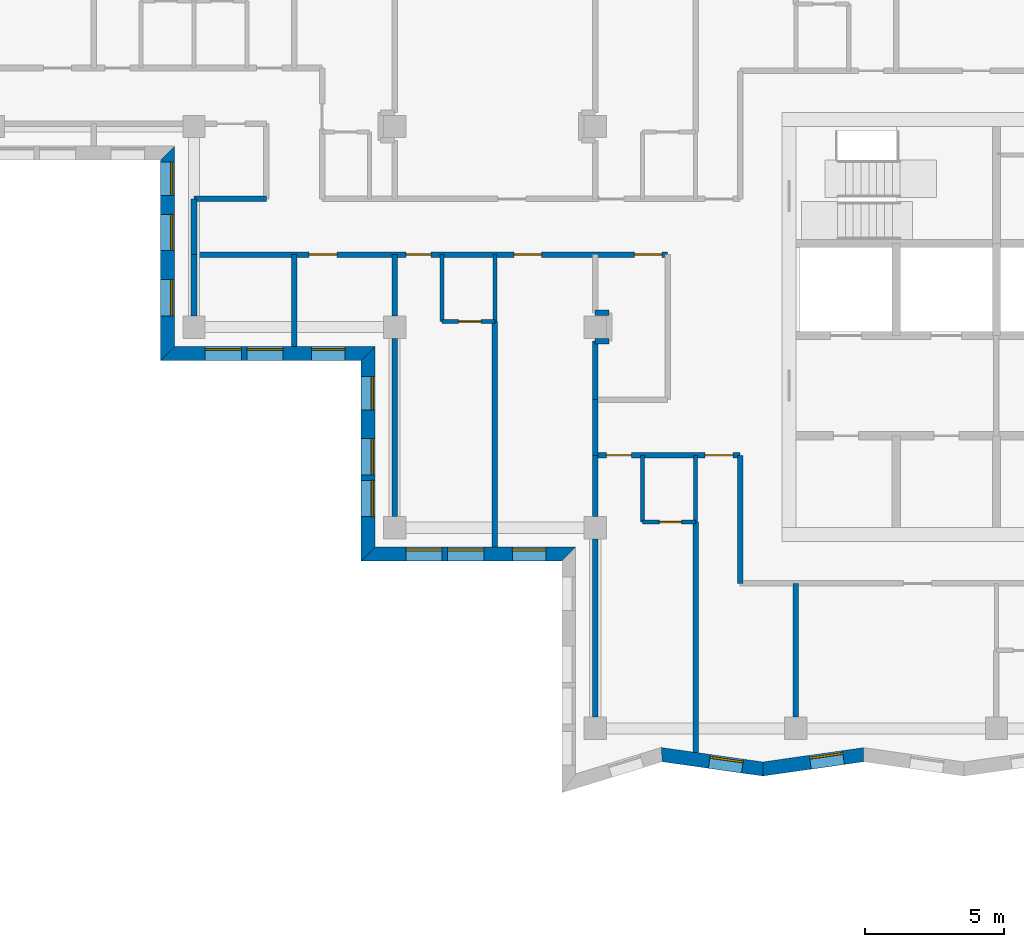
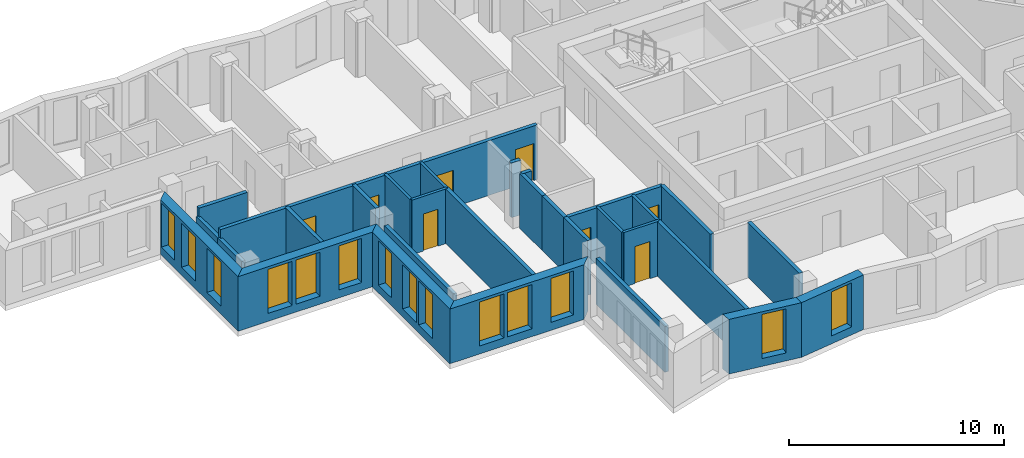
# One storey, part 2 of 12: 30 walls, 14 windows, 8 doors, 22 openings.
"""IFC4 building model written with IfcOpenShell, lengths in metres."""

from ifc_helpers import new_model, si_unit, direction, frame, frame_2d, origin, place, context, subcontext, project, spatial, polyline, rectangle, outline, extrude, material, layer, layer_set, type_object, element, fill, save


model = new_model("IFC4")

# Units and contexts
model_context = context("Model", 3, precision=1e-05, world=origin(), true_north=direction((0.0, 1.0)))
body_context = subcontext(model_context, "Body", "Model", "MODEL_VIEW")
ifc_project = project(units=[si_unit("LENGTHUNIT", "METRE"), si_unit("AREAUNIT", "SQUARE_METRE"), si_unit("VOLUMEUNIT", "CUBIC_METRE"), si_unit("PLANEANGLEUNIT", "RADIAN"), si_unit("MASSUNIT", "GRAM", prefix="KILO")], contexts=[model_context])

# Site, building, storey
site_placement = place(None, origin())
site = spatial("IfcSite", under=ifc_project, at=site_placement, CompositionType="ELEMENT")
building_placement = place(site_placement, origin())
building = spatial("IfcBuilding", under=site, at=building_placement, Name="Windrow Commons", CompositionType="ELEMENT")
storey_placement = place(building_placement, frame((0.0, 0.0, 213.4)))
storey = spatial("IfcBuildingStorey", under=building, at=storey_placement, Name="L58", CompositionType="ELEMENT", Elevation=213.4)

# Wall, openings, windows
ifc_material_1 = material(Name="Brick masonry, red clay brick", Category="masonry")
ifc_layer_1 = layer(ifc_material_1, 0.5)
ifc_layer_set_1 = layer_set([ifc_layer_1], Name="Brick facade wall 500")
wall_type_1 = type_object("IfcWallType", Name="Brick facade wall 500", PredefinedType="SOLIDWALL", material=ifc_layer_set_1)
wall_1_placement = place(storey_placement, frame((35.05, 63.85, 0.0), z_axis=(0.0, 0.0, 1.0), x_axis=(0.0, -1.0, 0.0)))
wall_1 = element("IfcWall", 1, at=wall_1_placement, inside=storey, type_object=wall_type_1, Name="Brick facade wall L58 33", PredefinedType="SOLIDWALL", context=body_context, shape_type="SweptSolid", body=[
    extrude(outline(polyline([(0.25, -0.25), (7.45, -0.25), (6.95, 0.25), (-0.25, 0.25), (0.25, -0.25)])), origin(), (0.0, 0.0, 1.0), 3.1),
])
opening_1_placement = place(wall_1_placement, frame((2.2, 0.0, 0.45)))
opening_1 = element("IfcOpeningElement", 2, at=opening_1_placement, cuts=wall_1, Name="Opening W1Q", PredefinedType="OPENING", context=body_context, shape_type="SweptSolid", body=[
    extrude(rectangle(XDim=1.3, YDim=2.5, at=frame_2d((0.65, 1.25))), frame((0.0, 0.26, 0.0), z_axis=(0.0, -1.0, 0.0), x_axis=(1.0, 0.0, 0.0)), (0.0, 0.0, 1.0), 0.52),
])
opening_2_placement = place(wall_1_placement, frame((4.55, 0.0, 0.45)))
opening_2 = element("IfcOpeningElement", 3, at=opening_2_placement, cuts=wall_1, Name="Opening W1Q", PredefinedType="OPENING", context=body_context, shape_type="SweptSolid", body=[
    extrude(rectangle(XDim=1.3, YDim=2.5, at=frame_2d((0.65, 1.25))), frame((0.0, 0.26, 0.0), z_axis=(0.0, -1.0, 0.0), x_axis=(1.0, 0.0, 0.0)), (0.0, 0.0, 1.0), 0.52),
])
opening_3_placement = place(wall_1_placement, frame((0.325, 0.0, 0.45)))
opening_3 = element("IfcOpeningElement", 4, at=opening_3_placement, cuts=wall_1, Name="Opening W7E", PredefinedType="OPENING", context=body_context, shape_type="SweptSolid", body=[
    extrude(rectangle(XDim=1.2, YDim=2.5, at=frame_2d((0.6, 1.25))), frame((0.0, 0.26, 0.0), z_axis=(0.0, -1.0, 0.0), x_axis=(1.0, 0.0, 0.0)), (0.0, 0.0, 1.0), 0.52),
])
ifc_material_2 = material(Name="Clear float glass in anodised aluminium frame", Category="aluminium")
window_type_1 = type_object("IfcWindowType", Name="Window W1Q pair 1300x2500", PartitioningType="SINGLE_PANEL", PredefinedType="WINDOW", material=ifc_material_2)
window_1_placement = place(opening_1_placement, origin())
window_1 = element("IfcWindow", 5, at=window_1_placement, inside=storey, type_object=window_type_1, Name="Window L58 33.1A", OverallHeight=2.5, OverallWidth=1.3, PartitioningType="SINGLE_PANEL", PredefinedType="WINDOW", context=body_context, shape_type="SweptSolid", body=[
    extrude(rectangle(XDim=1.3, YDim=2.5, at=frame_2d((0.65, 1.25))), frame((0.0, 0.18, 0.0), z_axis=(0.0, -1.0, 0.0), x_axis=(1.0, 0.0, 0.0)), (0.0, 0.0, 1.0), 0.06),
])
fill(opening_1, window_1)
window_2_placement = place(opening_2_placement, origin())
window_2 = element("IfcWindow", 6, at=window_2_placement, inside=storey, type_object=window_type_1, Name="Window L58 33.1B", OverallHeight=2.5, OverallWidth=1.3, PartitioningType="SINGLE_PANEL", PredefinedType="WINDOW", context=body_context, shape_type="SweptSolid", body=[
    extrude(rectangle(XDim=1.3, YDim=2.5, at=frame_2d((0.65, 1.25))), frame((0.0, 0.18, 0.0), z_axis=(0.0, -1.0, 0.0), x_axis=(1.0, 0.0, 0.0)), (0.0, 0.0, 1.0), 0.06),
])
fill(opening_2, window_2)
ifc_material_3 = material(Name="Clear float glass in anodised aluminium frame", Category="aluminium")
window_type_2 = type_object("IfcWindowType", Name="Window W7 notch 1200x2500", PartitioningType="SINGLE_PANEL", PredefinedType="WINDOW", material=ifc_material_3)
window_3_placement = place(opening_3_placement, origin())
window_3 = element("IfcWindow", 7, at=window_3_placement, inside=storey, type_object=window_type_2, Name="Window L58 33.2", OverallHeight=2.5, OverallWidth=1.2, PartitioningType="SINGLE_PANEL", PredefinedType="WINDOW", context=body_context, shape_type="SweptSolid", body=[
    extrude(rectangle(XDim=1.2, YDim=2.5, at=frame_2d((0.6, 1.25))), frame((0.0, 0.18, 0.0), z_axis=(0.0, -1.0, 0.0), x_axis=(1.0, 0.0, 0.0)), (0.0, 0.0, 1.0), 0.06),
])
fill(opening_3, window_3)

wall_2_placement = place(storey_placement, frame((35.05, 56.65, 0.0), z_axis=(0.0, 0.0, 1.0), x_axis=(1.0, 0.0, 0.0)))
wall_2 = element("IfcWall", 8, at=wall_2_placement, inside=storey, type_object=wall_type_1, Name="Brick facade wall L58 34", PredefinedType="SOLIDWALL", context=body_context, shape_type="SweptSolid", body=[
    extrude(outline(polyline([(-0.25, -0.25), (6.95, -0.25), (7.45, 0.25), (0.25, 0.25), (-0.25, -0.25)])), origin(), (0.0, 0.0, 1.0), 3.1),
])
opening_4_placement = place(wall_2_placement, frame((1.35, 0.0, 0.45)))
opening_4 = element("IfcOpeningElement", 9, at=opening_4_placement, cuts=wall_2, Name="Opening W1Q", PredefinedType="OPENING", context=body_context, shape_type="SweptSolid", body=[
    extrude(rectangle(XDim=1.3, YDim=2.5, at=frame_2d((0.65, 1.25))), frame((0.0, 0.26, 0.0), z_axis=(0.0, -1.0, 0.0), x_axis=(1.0, 0.0, 0.0)), (0.0, 0.0, 1.0), 0.52),
])
opening_5_placement = place(wall_2_placement, frame((2.85, 0.0, 0.45)))
opening_5 = element("IfcOpeningElement", 10, at=opening_5_placement, cuts=wall_2, Name="Opening W1Q", PredefinedType="OPENING", context=body_context, shape_type="SweptSolid", body=[
    extrude(rectangle(XDim=1.3, YDim=2.5, at=frame_2d((0.65, 1.25))), frame((0.0, 0.26, 0.0), z_axis=(0.0, -1.0, 0.0), x_axis=(1.0, 0.0, 0.0)), (0.0, 0.0, 1.0), 0.52),
])
opening_6_placement = place(wall_2_placement, frame((5.175, 0.0, 0.45)))
opening_6 = element("IfcOpeningElement", 11, at=opening_6_placement, cuts=wall_2, Name="Opening W7E", PredefinedType="OPENING", context=body_context, shape_type="SweptSolid", body=[
    extrude(rectangle(XDim=1.2, YDim=2.5, at=frame_2d((0.6, 1.25))), frame((0.0, 0.26, 0.0), z_axis=(0.0, -1.0, 0.0), x_axis=(1.0, 0.0, 0.0)), (0.0, 0.0, 1.0), 0.52),
])
window_4_placement = place(opening_4_placement, origin())
window_4 = element("IfcWindow", 12, at=window_4_placement, inside=storey, type_object=window_type_1, Name="Window L58 34.1A", OverallHeight=2.5, OverallWidth=1.3, PartitioningType="SINGLE_PANEL", PredefinedType="WINDOW", context=body_context, shape_type="SweptSolid", body=[
    extrude(rectangle(XDim=1.3, YDim=2.5, at=frame_2d((0.65, 1.25))), frame((0.0, 0.18, 0.0), z_axis=(0.0, -1.0, 0.0), x_axis=(1.0, 0.0, 0.0)), (0.0, 0.0, 1.0), 0.06),
])
fill(opening_4, window_4)
window_5_placement = place(opening_5_placement, origin())
window_5 = element("IfcWindow", 13, at=window_5_placement, inside=storey, type_object=window_type_1, Name="Window L58 34.1B", OverallHeight=2.5, OverallWidth=1.3, PartitioningType="SINGLE_PANEL", PredefinedType="WINDOW", context=body_context, shape_type="SweptSolid", body=[
    extrude(rectangle(XDim=1.3, YDim=2.5, at=frame_2d((0.65, 1.25))), frame((0.0, 0.18, 0.0), z_axis=(0.0, -1.0, 0.0), x_axis=(1.0, 0.0, 0.0)), (0.0, 0.0, 1.0), 0.06),
])
fill(opening_5, window_5)
window_6_placement = place(opening_6_placement, origin())
window_6 = element("IfcWindow", 14, at=window_6_placement, inside=storey, type_object=window_type_2, Name="Window L58 34.2", OverallHeight=2.5, OverallWidth=1.2, PartitioningType="SINGLE_PANEL", PredefinedType="WINDOW", context=body_context, shape_type="SweptSolid", body=[
    extrude(rectangle(XDim=1.2, YDim=2.5, at=frame_2d((0.6, 1.25))), frame((0.0, 0.18, 0.0), z_axis=(0.0, -1.0, 0.0), x_axis=(1.0, 0.0, 0.0)), (0.0, 0.0, 1.0), 0.06),
])
fill(opening_6, window_6)

wall_3_placement = place(storey_placement, frame((42.25, 56.65, 0.0), z_axis=(0.0, 0.0, 1.0), x_axis=(0.0, -1.0, 0.0)))
wall_3 = element("IfcWall", 15, at=wall_3_placement, inside=storey, type_object=wall_type_1, Name="Brick facade wall L58 35", PredefinedType="SOLIDWALL", context=body_context, shape_type="SweptSolid", body=[
    extrude(outline(polyline([(0.25, -0.25), (7.45, -0.25), (6.95, 0.25), (-0.25, 0.25), (0.25, -0.25)])), origin(), (0.0, 0.0, 1.0), 3.1),
])
opening_7_placement = place(wall_3_placement, frame((3.05, 0.0, 0.45)))
opening_7 = element("IfcOpeningElement", 16, at=opening_7_placement, cuts=wall_3, Name="Opening W1Q", PredefinedType="OPENING", context=body_context, shape_type="SweptSolid", body=[
    extrude(rectangle(XDim=1.3, YDim=2.5, at=frame_2d((0.65, 1.25))), frame((0.0, 0.26, 0.0), z_axis=(0.0, -1.0, 0.0), x_axis=(1.0, 0.0, 0.0)), (0.0, 0.0, 1.0), 0.52),
])
opening_8_placement = place(wall_3_placement, frame((4.55, 0.0, 0.45)))
opening_8 = element("IfcOpeningElement", 17, at=opening_8_placement, cuts=wall_3, Name="Opening W1Q", PredefinedType="OPENING", context=body_context, shape_type="SweptSolid", body=[
    extrude(rectangle(XDim=1.3, YDim=2.5, at=frame_2d((0.65, 1.25))), frame((0.0, 0.26, 0.0), z_axis=(0.0, -1.0, 0.0), x_axis=(1.0, 0.0, 0.0)), (0.0, 0.0, 1.0), 0.52),
])
opening_9_placement = place(wall_3_placement, frame((0.825, 0.0, 0.45)))
opening_9 = element("IfcOpeningElement", 18, at=opening_9_placement, cuts=wall_3, Name="Opening W7E", PredefinedType="OPENING", context=body_context, shape_type="SweptSolid", body=[
    extrude(rectangle(XDim=1.2, YDim=2.5, at=frame_2d((0.6, 1.25))), frame((0.0, 0.26, 0.0), z_axis=(0.0, -1.0, 0.0), x_axis=(1.0, 0.0, 0.0)), (0.0, 0.0, 1.0), 0.52),
])
window_7_placement = place(opening_7_placement, origin())
window_7 = element("IfcWindow", 19, at=window_7_placement, inside=storey, type_object=window_type_1, Name="Window L58 35.1A", OverallHeight=2.5, OverallWidth=1.3, PartitioningType="SINGLE_PANEL", PredefinedType="WINDOW", context=body_context, shape_type="SweptSolid", body=[
    extrude(rectangle(XDim=1.3, YDim=2.5, at=frame_2d((0.65, 1.25))), frame((0.0, 0.18, 0.0), z_axis=(0.0, -1.0, 0.0), x_axis=(1.0, 0.0, 0.0)), (0.0, 0.0, 1.0), 0.06),
])
fill(opening_7, window_7)
window_8_placement = place(opening_8_placement, origin())
window_8 = element("IfcWindow", 20, at=window_8_placement, inside=storey, type_object=window_type_1, Name="Window L58 35.1B", OverallHeight=2.5, OverallWidth=1.3, PartitioningType="SINGLE_PANEL", PredefinedType="WINDOW", context=body_context, shape_type="SweptSolid", body=[
    extrude(rectangle(XDim=1.3, YDim=2.5, at=frame_2d((0.65, 1.25))), frame((0.0, 0.18, 0.0), z_axis=(0.0, -1.0, 0.0), x_axis=(1.0, 0.0, 0.0)), (0.0, 0.0, 1.0), 0.06),
])
fill(opening_8, window_8)
window_9_placement = place(opening_9_placement, origin())
window_9 = element("IfcWindow", 21, at=window_9_placement, inside=storey, type_object=window_type_2, Name="Window L58 35.2", OverallHeight=2.5, OverallWidth=1.2, PartitioningType="SINGLE_PANEL", PredefinedType="WINDOW", context=body_context, shape_type="SweptSolid", body=[
    extrude(rectangle(XDim=1.2, YDim=2.5, at=frame_2d((0.6, 1.25))), frame((0.0, 0.18, 0.0), z_axis=(0.0, -1.0, 0.0), x_axis=(1.0, 0.0, 0.0)), (0.0, 0.0, 1.0), 0.06),
])
fill(opening_9, window_9)

wall_4_placement = place(storey_placement, frame((42.25, 49.45, 0.0), z_axis=(0.0, 0.0, 1.0), x_axis=(1.0, 0.0, 0.0)))
wall_4 = element("IfcWall", 22, at=wall_4_placement, inside=storey, type_object=wall_type_1, Name="Brick facade wall L58 36", PredefinedType="SOLIDWALL", context=body_context, shape_type="SweptSolid", body=[
    extrude(outline(polyline([(-0.25, -0.25), (6.95, -0.25), (7.45, 0.25), (0.25, 0.25), (-0.25, -0.25)])), origin(), (0.0, 0.0, 1.0), 3.1),
])
opening_10_placement = place(wall_4_placement, frame((1.35, 0.0, 0.45)))
opening_10 = element("IfcOpeningElement", 23, at=opening_10_placement, cuts=wall_4, Name="Opening W1Q", PredefinedType="OPENING", context=body_context, shape_type="SweptSolid", body=[
    extrude(rectangle(XDim=1.3, YDim=2.5, at=frame_2d((0.65, 1.25))), frame((0.0, 0.26, 0.0), z_axis=(0.0, -1.0, 0.0), x_axis=(1.0, 0.0, 0.0)), (0.0, 0.0, 1.0), 0.52),
])
opening_11_placement = place(wall_4_placement, frame((2.85, 0.0, 0.45)))
opening_11 = element("IfcOpeningElement", 24, at=opening_11_placement, cuts=wall_4, Name="Opening W1Q", PredefinedType="OPENING", context=body_context, shape_type="SweptSolid", body=[
    extrude(rectangle(XDim=1.3, YDim=2.5, at=frame_2d((0.65, 1.25))), frame((0.0, 0.26, 0.0), z_axis=(0.0, -1.0, 0.0), x_axis=(1.0, 0.0, 0.0)), (0.0, 0.0, 1.0), 0.52),
])
opening_12_placement = place(wall_4_placement, frame((5.175, 0.0, 0.45)))
opening_12 = element("IfcOpeningElement", 25, at=opening_12_placement, cuts=wall_4, Name="Opening W7E", PredefinedType="OPENING", context=body_context, shape_type="SweptSolid", body=[
    extrude(rectangle(XDim=1.2, YDim=2.5, at=frame_2d((0.6, 1.25))), frame((0.0, 0.26, 0.0), z_axis=(0.0, -1.0, 0.0), x_axis=(1.0, 0.0, 0.0)), (0.0, 0.0, 1.0), 0.52),
])
window_10_placement = place(opening_10_placement, origin())
window_10 = element("IfcWindow", 26, at=window_10_placement, inside=storey, type_object=window_type_1, Name="Window L58 36.1A", OverallHeight=2.5, OverallWidth=1.3, PartitioningType="SINGLE_PANEL", PredefinedType="WINDOW", context=body_context, shape_type="SweptSolid", body=[
    extrude(rectangle(XDim=1.3, YDim=2.5, at=frame_2d((0.65, 1.25))), frame((0.0, 0.18, 0.0), z_axis=(0.0, -1.0, 0.0), x_axis=(1.0, 0.0, 0.0)), (0.0, 0.0, 1.0), 0.06),
])
fill(opening_10, window_10)
window_11_placement = place(opening_11_placement, origin())
window_11 = element("IfcWindow", 27, at=window_11_placement, inside=storey, type_object=window_type_1, Name="Window L58 36.1B", OverallHeight=2.5, OverallWidth=1.3, PartitioningType="SINGLE_PANEL", PredefinedType="WINDOW", context=body_context, shape_type="SweptSolid", body=[
    extrude(rectangle(XDim=1.3, YDim=2.5, at=frame_2d((0.65, 1.25))), frame((0.0, 0.18, 0.0), z_axis=(0.0, -1.0, 0.0), x_axis=(1.0, 0.0, 0.0)), (0.0, 0.0, 1.0), 0.06),
])
fill(opening_11, window_11)
window_12_placement = place(opening_12_placement, origin())
window_12 = element("IfcWindow", 28, at=window_12_placement, inside=storey, type_object=window_type_2, Name="Window L58 36.2", OverallHeight=2.5, OverallWidth=1.2, PartitioningType="SINGLE_PANEL", PredefinedType="WINDOW", context=body_context, shape_type="SweptSolid", body=[
    extrude(rectangle(XDim=1.2, YDim=2.5, at=frame_2d((0.6, 1.25))), frame((0.0, 0.18, 0.0), z_axis=(0.0, -1.0, 0.0), x_axis=(1.0, 0.0, 0.0)), (0.0, 0.0, 1.0), 0.06),
])
fill(opening_12, window_12)

# Wall, opening, window
wall_5_placement = place(storey_placement, frame((52.7883, 42.2554, 0.0), z_axis=(0.0, 0.0, 1.0), x_axis=(0.9900822045, -0.140489246, 0.0)))
wall_5 = element("IfcWall", 29, at=wall_5_placement, inside=storey, type_object=wall_type_1, Name="Brick facade wall L58 39", PredefinedType="SOLIDWALL", context=body_context, shape_type="SweptSolid", body=[
    extrude(outline(polyline([(0.0559, -0.25), (3.7005, -0.25), (3.6296, 0.25), (-0.0559, 0.25), (0.0559, -0.25)])), origin(), (0.0, 0.0, 1.0), 3.1),
])
opening_13_placement = place(wall_5_placement, frame((1.7267, 0.0, 0.45)))
opening_13 = element("IfcOpeningElement", 30, at=opening_13_placement, cuts=wall_5, Name="Opening W7E", PredefinedType="OPENING", context=body_context, shape_type="SweptSolid", body=[
    extrude(rectangle(XDim=1.2, YDim=2.5, at=frame_2d((0.6, 1.25))), frame((0.0, 0.26, 0.0), z_axis=(0.0, -1.0, 0.0), x_axis=(1.0, 0.0, 0.0)), (0.0, 0.0, 1.0), 0.52),
])
window_13_placement = place(opening_13_placement, origin())
window_13 = element("IfcWindow", 31, at=window_13_placement, inside=storey, type_object=window_type_2, Name="Window L58 39.1", OverallHeight=2.5, OverallWidth=1.2, PartitioningType="SINGLE_PANEL", PredefinedType="WINDOW", context=body_context, shape_type="SweptSolid", body=[
    extrude(rectangle(XDim=1.2, YDim=2.5, at=frame_2d((0.6, 1.25))), frame((0.0, 0.18, 0.0), z_axis=(0.0, -1.0, 0.0), x_axis=(1.0, 0.0, 0.0)), (0.0, 0.0, 1.0), 0.06),
])
fill(opening_13, window_13)

wall_6_placement = place(storey_placement, frame((56.417, 41.7405, 0.0), z_axis=(0.0, 0.0, 1.0), x_axis=(0.9900834903, 0.1404801848, 0.0)))
wall_6 = element("IfcWall", 32, at=wall_6_placement, inside=storey, type_object=wall_type_1, Name="Brick facade wall L58 40", PredefinedType="SOLIDWALL", context=body_context, shape_type="SweptSolid", body=[
    extrude(outline(polyline([(-0.0355, -0.25), (3.6092, -0.25), (3.6801, 0.25), (0.0355, 0.25), (-0.0355, -0.25)])), origin(), (0.0, 0.0, 1.0), 3.1),
])
opening_14_placement = place(wall_6_placement, frame((1.7198, 0.0, 0.45)))
opening_14 = element("IfcOpeningElement", 33, at=opening_14_placement, cuts=wall_6, Name="Opening W7E", PredefinedType="OPENING", context=body_context, shape_type="SweptSolid", body=[
    extrude(rectangle(XDim=1.2, YDim=2.5, at=frame_2d((0.6, 1.25))), frame((0.0, 0.26, 0.0), z_axis=(0.0, -1.0, 0.0), x_axis=(1.0, 0.0, 0.0)), (0.0, 0.0, 1.0), 0.52),
])
window_14_placement = place(opening_14_placement, origin())
window_14 = element("IfcWindow", 34, at=window_14_placement, inside=storey, type_object=window_type_2, Name="Window L58 40.1", OverallHeight=2.5, OverallWidth=1.2, PartitioningType="SINGLE_PANEL", PredefinedType="WINDOW", context=body_context, shape_type="SweptSolid", body=[
    extrude(rectangle(XDim=1.2, YDim=2.5, at=frame_2d((0.6, 1.25))), frame((0.0, 0.18, 0.0), z_axis=(0.0, -1.0, 0.0), x_axis=(1.0, 0.0, 0.0)), (0.0, 0.0, 1.0), 0.06),
])
fill(opening_14, window_14)

# Wall, openings, doors
ifc_material_4 = material(Name="Blockwork partition", Category="masonry")
ifc_layer_2 = layer(ifc_material_4, 0.2)
ifc_layer_set_2 = layer_set([ifc_layer_2], Name="IW-CORRIDOR-200")
wall_type_2 = type_object("IfcWallType", Name="IW-CORRIDOR-200", PredefinedType="PARTITIONING", material=ifc_layer_set_2)
wall_7_placement = place(storey_placement, frame((36.0, 60.2, 0.0), z_axis=(0.0, 0.0, 1.0), x_axis=(1.0, 0.0, 0.0)))
wall_7 = element("IfcWall", 35, at=wall_7_placement, inside=storey, type_object=wall_type_2, Name="W-L58-W002", PredefinedType="PARTITIONING", context=body_context, shape_type="SweptSolid", body=[
    extrude(rectangle(XDim=17.0, YDim=0.2, at=frame_2d((8.5, 0.0))), origin(), (0.0, 0.0, 1.0), 3.1),
])
opening_15_placement = place(wall_7_placement, frame((4.125, 0.0, 0.0)))
opening_15 = element("IfcOpeningElement", 36, at=opening_15_placement, cuts=wall_7, Name="Opening D310F", PredefinedType="OPENING", context=body_context, shape_type="SweptSolid", body=[
    extrude(rectangle(XDim=1.0, YDim=2.1, at=frame_2d((0.5, 1.05))), frame((0.0, 0.11, 0.0), z_axis=(0.0, -1.0, 0.0), x_axis=(1.0, 0.0, 0.0)), (0.0, 0.0, 1.0), 0.22),
])
opening_16_placement = place(wall_7_placement, frame((7.6, 0.0, 0.0)))
opening_16 = element("IfcOpeningElement", 37, at=opening_16_placement, cuts=wall_7, Name="Opening D109S", PredefinedType="OPENING", context=body_context, shape_type="SweptSolid", body=[
    extrude(rectangle(XDim=0.9, YDim=2.1, at=frame_2d((0.45, 1.05))), frame((0.0, 0.11, 0.0), z_axis=(0.0, -1.0, 0.0), x_axis=(1.0, 0.0, 0.0)), (0.0, 0.0, 1.0), 0.22),
])
opening_17_placement = place(wall_7_placement, frame((11.48, 0.0, 0.0)))
opening_17 = element("IfcOpeningElement", 38, at=opening_17_placement, cuts=wall_7, Name="Opening D310F", PredefinedType="OPENING", context=body_context, shape_type="SweptSolid", body=[
    extrude(rectangle(XDim=1.0, YDim=2.1, at=frame_2d((0.5, 1.05))), frame((0.0, 0.11, 0.0), z_axis=(0.0, -1.0, 0.0), x_axis=(1.0, 0.0, 0.0)), (0.0, 0.0, 1.0), 0.22),
])
opening_18_placement = place(wall_7_placement, frame((15.805, 0.0, 0.0)))
opening_18 = element("IfcOpeningElement", 39, at=opening_18_placement, cuts=wall_7, Name="Opening D410F", PredefinedType="OPENING", context=body_context, shape_type="SweptSolid", body=[
    extrude(rectangle(XDim=1.0, YDim=2.1, at=frame_2d((0.5, 1.05))), frame((0.0, 0.11, 0.0), z_axis=(0.0, -1.0, 0.0), x_axis=(1.0, 0.0, 0.0)), (0.0, 0.0, 1.0), 0.22),
])
ifc_material_5 = material(Name="Timber door leaf", Category="wood")
door_type_1 = type_object("IfcDoorType", Name="DT-AMENITY-1000", OperationType="SINGLE_SWING_LEFT", PredefinedType="DOOR", material=ifc_material_5)
door_1_placement = place(opening_15_placement, origin())
door_1 = element("IfcDoor", 40, at=door_1_placement, inside=storey, type_object=door_type_1, Name="D-L58-D013", OperationType="SINGLE_SWING_RIGHT", OverallHeight=2.1, OverallWidth=1.0, PredefinedType="DOOR", context=body_context, shape_type="SweptSolid", body=[
    extrude(rectangle(XDim=1.0, YDim=2.1, at=frame_2d((0.5, 1.05))), frame((0.0, 0.025, 0.0), z_axis=(0.0, -1.0, 0.0), x_axis=(1.0, 0.0, 0.0)), (0.0, 0.0, 1.0), 0.05),
])
fill(opening_15, door_1)
door_2_placement = place(opening_17_placement, origin())
door_2 = element("IfcDoor", 41, at=door_2_placement, inside=storey, type_object=door_type_1, Name="D-L58-D025", OperationType="SINGLE_SWING_RIGHT", OverallHeight=2.1, OverallWidth=1.0, PredefinedType="DOOR", context=body_context, shape_type="SweptSolid", body=[
    extrude(rectangle(XDim=1.0, YDim=2.1, at=frame_2d((0.5, 1.05))), frame((0.0, 0.025, 0.0), z_axis=(0.0, -1.0, 0.0), x_axis=(1.0, 0.0, 0.0)), (0.0, 0.0, 1.0), 0.05),
])
fill(opening_17, door_2)
ifc_material_6 = material(Name="Timber door leaf", Category="wood")
door_type_2 = type_object("IfcDoorType", Name="DT-BEDROOM-900", OperationType="SINGLE_SWING_LEFT", PredefinedType="DOOR", material=ifc_material_6)
door_3_placement = place(opening_16_placement, origin())
door_3 = element("IfcDoor", 42, at=door_3_placement, inside=storey, type_object=door_type_2, Name="D-L58-D014", OperationType="SINGLE_SWING_LEFT", OverallHeight=2.1, OverallWidth=0.9, PredefinedType="DOOR", context=body_context, shape_type="SweptSolid", body=[
    extrude(rectangle(XDim=0.9, YDim=2.1, at=frame_2d((0.45, 1.05))), frame((0.0, 0.025, 0.0), z_axis=(0.0, -1.0, 0.0), x_axis=(1.0, 0.0, 0.0)), (0.0, 0.0, 1.0), 0.05),
])
fill(opening_16, door_3)
ifc_material_7 = material(Name="Timber door leaf", Category="wood")
door_type_3 = type_object("IfcDoorType", Name="DT-SERVICE-1000", OperationType="SINGLE_SWING_LEFT", PredefinedType="DOOR", material=ifc_material_7)
door_4_placement = place(opening_18_placement, origin())
door_4 = element("IfcDoor", 43, at=door_4_placement, inside=storey, type_object=door_type_3, Name="D-L58-D026", OperationType="SINGLE_SWING_LEFT", OverallHeight=2.1, OverallWidth=1.0, PredefinedType="DOOR", context=body_context, shape_type="SweptSolid", body=[
    extrude(rectangle(XDim=1.0, YDim=2.1, at=frame_2d((0.5, 1.05))), frame((0.0, 0.025, 0.0), z_axis=(0.0, -1.0, 0.0), x_axis=(1.0, 0.0, 0.0)), (0.0, 0.0, 1.0), 0.05),
])
fill(opening_18, door_4)

wall_8_placement = place(storey_placement, frame((50.4, 53.0, 0.0), z_axis=(0.0, 0.0, 1.0), x_axis=(1.0, 0.0, 0.0)))
wall_8 = element("IfcWall", 44, at=wall_8_placement, inside=storey, type_object=wall_type_2, Name="W-L58-W032", PredefinedType="PARTITIONING", context=body_context, shape_type="SweptSolid", body=[
    extrude(rectangle(XDim=5.2, YDim=0.2, at=frame_2d((2.6, 0.0))), origin(), (0.0, 0.0, 1.0), 3.1),
])
opening_19_placement = place(wall_8_placement, frame((0.4, 0.0, 0.0)))
opening_19 = element("IfcOpeningElement", 45, at=opening_19_placement, cuts=wall_8, Name="Opening D109S", PredefinedType="OPENING", context=body_context, shape_type="SweptSolid", body=[
    extrude(rectangle(XDim=0.9, YDim=2.1, at=frame_2d((0.45, 1.05))), frame((0.0, 0.11, 0.0), z_axis=(0.0, -1.0, 0.0), x_axis=(1.0, 0.0, 0.0)), (0.0, 0.0, 1.0), 0.22),
])
opening_20_placement = place(wall_8_placement, frame((3.9455, 0.0, 0.0)))
opening_20 = element("IfcOpeningElement", 46, at=opening_20_placement, cuts=wall_8, Name="Opening D310F", PredefinedType="OPENING", context=body_context, shape_type="SweptSolid", body=[
    extrude(rectangle(XDim=1.0, YDim=2.1, at=frame_2d((0.5, 1.05))), frame((0.0, 0.11, 0.0), z_axis=(0.0, -1.0, 0.0), x_axis=(1.0, 0.0, 0.0)), (0.0, 0.0, 1.0), 0.22),
])
door_5_placement = place(opening_20_placement, origin())
door_5 = element("IfcDoor", 47, at=door_5_placement, inside=storey, type_object=door_type_1, Name="D-L58-D029", OperationType="SINGLE_SWING_RIGHT", OverallHeight=2.1, OverallWidth=1.0, PredefinedType="DOOR", context=body_context, shape_type="SweptSolid", body=[
    extrude(rectangle(XDim=1.0, YDim=2.1, at=frame_2d((0.5, 1.05))), frame((0.0, 0.025, 0.0), z_axis=(0.0, -1.0, 0.0), x_axis=(1.0, 0.0, 0.0)), (0.0, 0.0, 1.0), 0.05),
])
fill(opening_20, door_5)
door_6_placement = place(opening_19_placement, origin())
door_6 = element("IfcDoor", 48, at=door_6_placement, inside=storey, type_object=door_type_2, Name="D-L58-D027", OperationType="SINGLE_SWING_LEFT", OverallHeight=2.1, OverallWidth=0.9, PredefinedType="DOOR", context=body_context, shape_type="SweptSolid", body=[
    extrude(rectangle(XDim=0.9, YDim=2.1, at=frame_2d((0.45, 1.05))), frame((0.0, 0.025, 0.0), z_axis=(0.0, -1.0, 0.0), x_axis=(1.0, 0.0, 0.0)), (0.0, 0.0, 1.0), 0.05),
])
fill(opening_19, door_6)

# Walls
wall_9_placement = place(storey_placement, frame((55.6, 48.4, 0.0), z_axis=(0.0, 0.0, 1.0), x_axis=(0.0, 1.0, 0.0)))
element("IfcWall", 49, at=wall_9_placement, inside=storey, type_object=wall_type_2, Name="W-L58-W040", PredefinedType="PARTITIONING", context=body_context, shape_type="SweptSolid", body=[
    extrude(rectangle(XDim=4.6, YDim=0.2, at=frame_2d((2.3, 0.0))), origin(), (0.0, 0.0, 1.0), 3.1),
])
wall_10_placement = place(storey_placement, frame((36.002, 62.2, 0.0), z_axis=(0.0, 0.0, 1.0), x_axis=(1.0, 0.0, 0.0)))
element("IfcWall", 50, at=wall_10_placement, inside=storey, type_object=wall_type_2, Name="W-L58-W057", PredefinedType="PARTITIONING", context=body_context, shape_type="SweptSolid", body=[
    extrude(rectangle(XDim=2.598, YDim=0.2, at=frame_2d((1.299, 0.0))), origin(), (0.0, 0.0, 1.0), 3.1),
])
wall_11_placement = place(storey_placement, frame((36.0, 60.2, 0.0), z_axis=(0.0, 0.0, 1.0), x_axis=(0.0, 1.0, 0.0)))
element("IfcWall", 51, at=wall_11_placement, inside=storey, type_object=wall_type_2, Name="W-L58-W101", PredefinedType="PARTITIONING", context=body_context, shape_type="SweptSolid", body=[
    extrude(rectangle(XDim=2.0, YDim=0.2, at=frame_2d((1.0, 0.0))), origin(), (0.0, 0.0, 1.0), 2.6),
])
wall_12_placement = place(storey_placement, frame((50.4, 53.0, 0.0), z_axis=(0.0, 0.0, 1.0), x_axis=(0.0, 1.0, 0.0)))
element("IfcWall", 52, at=wall_12_placement, inside=storey, type_object=wall_type_2, Name="W-L58-W102", PredefinedType="PARTITIONING", context=body_context, shape_type="SweptSolid", body=[
    extrude(rectangle(XDim=2.0, YDim=0.2, at=frame_2d((1.0, 0.0))), origin(), (0.0, 0.0, 1.0), 3.1),
])
ifc_material_8 = material(Name="Blockwork partition", Category="masonry")
ifc_layer_3 = layer(ifc_material_8, 0.15)
ifc_layer_set_3 = layer_set([ifc_layer_3], Name="IW-ENSUITE-150")
wall_type_3 = type_object("IfcWallType", Name="IW-ENSUITE-150", PredefinedType="PARTITIONING", material=ifc_layer_set_3)
for number, where, z_axis, x_axis, name in (
    (53, (44.9, 57.8, 0.0), (0.0, 0.0, 1.0), (0.0, 1.0, 0.0), "W-L58-W062"),
    (54, (46.8, 57.8, 0.0), (0.0, 0.0, 1.0), (0.0, 1.0, 0.0), "W-L58-W063"),
    (55, (52.1, 50.6, 0.0), (0.0, 0.0, 1.0), (0.0, 1.0, 0.0), "W-L58-W068"),
    (56, (54.0, 50.6, 0.0), (0.0, 0.0, 1.0), (0.0, 1.0, 0.0), "W-L58-W069"),
):
    element("IfcWall", number, at=place(storey_placement, frame(where, z_axis=z_axis, x_axis=x_axis)), inside=storey, type_object=wall_type_3, Name=name, PredefinedType="PARTITIONING", context=body_context, shape_type="SweptSolid", body=[
        extrude(rectangle(XDim=2.4, YDim=0.15, at=frame_2d((1.2, 0.0))), origin(), (0.0, 0.0, 1.0), 3.1),
    ])

# Wall, opening, door
wall_13_placement = place(storey_placement, frame((44.9, 57.8, 0.0), z_axis=(0.0, 0.0, 1.0), x_axis=(1.0, 0.0, 0.0)))
wall_13 = element("IfcWall", 57, at=wall_13_placement, inside=storey, type_object=wall_type_3, Name="W-L58-W111", PredefinedType="PARTITIONING", context=body_context, shape_type="SweptSolid", body=[
    extrude(rectangle(XDim=1.9, YDim=0.15, at=frame_2d((0.95, 0.0))), origin(), (0.0, 0.0, 1.0), 3.1),
])
opening_21_placement = place(wall_13_placement, frame((0.5979, 0.0, 0.0)))
opening_21 = element("IfcOpeningElement", 58, at=opening_21_placement, cuts=wall_13, Name="Opening D208N", PredefinedType="OPENING", context=body_context, shape_type="SweptSolid", body=[
    extrude(rectangle(XDim=0.8, YDim=2.1, at=frame_2d((0.4, 1.05))), frame((0.0, 0.085, 0.0), z_axis=(0.0, -1.0, 0.0), x_axis=(1.0, 0.0, 0.0)), (0.0, 0.0, 1.0), 0.17),
])
ifc_material_9 = material(Name="Timber door leaf", Category="wood")
door_type_4 = type_object("IfcDoorType", Name="DT-ENSUITE-800", OperationType="SINGLE_SWING_LEFT", PredefinedType="DOOR", material=ifc_material_9)
door_7_placement = place(opening_21_placement, origin())
door_7 = element("IfcDoor", 59, at=door_7_placement, inside=storey, type_object=door_type_4, Name="D-L58-D015", OperationType="SINGLE_SWING_RIGHT", OverallHeight=2.1, OverallWidth=0.8, PredefinedType="DOOR", context=body_context, shape_type="SweptSolid", body=[
    extrude(rectangle(XDim=0.8, YDim=2.1, at=frame_2d((0.4, 1.05))), frame((0.0, 0.025, 0.0), z_axis=(0.0, -1.0, 0.0), x_axis=(1.0, 0.0, 0.0)), (0.0, 0.0, 1.0), 0.05),
])
fill(opening_21, door_7)

wall_14_placement = place(storey_placement, frame((52.1, 50.6, 0.0), z_axis=(0.0, 0.0, 1.0), x_axis=(1.0, 0.0, 0.0)))
wall_14 = element("IfcWall", 60, at=wall_14_placement, inside=storey, type_object=wall_type_3, Name="W-L58-W112", PredefinedType="PARTITIONING", context=body_context, shape_type="SweptSolid", body=[
    extrude(rectangle(XDim=1.9, YDim=0.15, at=frame_2d((0.95, 0.0))), origin(), (0.0, 0.0, 1.0), 3.1),
])
opening_22_placement = place(wall_14_placement, frame((0.5979, 0.0, 0.0)))
opening_22 = element("IfcOpeningElement", 61, at=opening_22_placement, cuts=wall_14, Name="Opening D208N", PredefinedType="OPENING", context=body_context, shape_type="SweptSolid", body=[
    extrude(rectangle(XDim=0.8, YDim=2.1, at=frame_2d((0.4, 1.05))), frame((0.0, 0.085, 0.0), z_axis=(0.0, -1.0, 0.0), x_axis=(1.0, 0.0, 0.0)), (0.0, 0.0, 1.0), 0.17),
])
door_8_placement = place(opening_22_placement, origin())
door_8 = element("IfcDoor", 62, at=door_8_placement, inside=storey, type_object=door_type_4, Name="D-L58-D028", OperationType="SINGLE_SWING_RIGHT", OverallHeight=2.1, OverallWidth=0.8, PredefinedType="DOOR", context=body_context, shape_type="SweptSolid", body=[
    extrude(rectangle(XDim=0.8, YDim=2.1, at=frame_2d((0.4, 1.05))), frame((0.0, 0.025, 0.0), z_axis=(0.0, -1.0, 0.0), x_axis=(1.0, 0.0, 0.0)), (0.0, 0.0, 1.0), 0.05),
])
fill(opening_22, door_8)

# Walls
ifc_material_10 = material(Name="Blockwork partition", Category="masonry")
ifc_layer_4 = layer(ifc_material_10, 0.2)
ifc_layer_set_4 = layer_set([ifc_layer_4], Name="IW-PARTY-200")
wall_type_4 = type_object("IfcWallType", Name="IW-PARTY-200", PredefinedType="PARTITIONING", material=ifc_layer_set_4)
wall_15_placement = place(storey_placement, frame((54.0, 42.3359, 0.0), z_axis=(0.0, 0.0, 1.0), x_axis=(0.0, 1.0, 0.0)))
element("IfcWall", 63, at=wall_15_placement, inside=storey, type_object=wall_type_4, Name="W-L58-W008", PredefinedType="PARTITIONING", context=body_context, shape_type="SweptSolid", body=[
    extrude(rectangle(XDim=8.2641, YDim=0.2, at=frame_2d((4.132, 0.0))), origin(), (0.0, 0.0, 1.0), 3.1),
])
wall_16_placement = place(storey_placement, frame((46.8, 49.7, 0.0), z_axis=(0.0, 0.0, 1.0), x_axis=(0.0, 1.0, 0.0)))
element("IfcWall", 64, at=wall_16_placement, inside=storey, type_object=wall_type_4, Name="W-L58-W014", PredefinedType="PARTITIONING", context=body_context, shape_type="SweptSolid", body=[
    extrude(rectangle(XDim=8.1, YDim=0.2, at=frame_2d((4.05, 0.0))), origin(), (0.0, 0.0, 1.0), 3.1),
])
for number, where, z_axis, x_axis, name in (
    (65, (43.2, 50.8, 0.0), (0.0, 0.0, 1.0), (0.0, 1.0, 0.0), "W-L58-W016"),
    (66, (50.4, 43.6, 0.0), (0.0, 0.0, 1.0), (0.0, 1.0, 0.0), "W-L58-W018"),
):
    element("IfcWall", number, at=place(storey_placement, frame(where, z_axis=z_axis, x_axis=x_axis)), inside=storey, type_object=wall_type_4, Name=name, PredefinedType="PARTITIONING", context=body_context, shape_type="SweptSolid", body=[
        extrude(rectangle(XDim=6.4, YDim=0.2, at=frame_2d((3.2, 0.0))), origin(), (0.0, 0.0, 1.0), 2.6),
    ])
wall_17_placement = place(storey_placement, frame((57.6, 43.6, 0.0), z_axis=(0.0, 0.0, 1.0), x_axis=(0.0, 1.0, 0.0)))
element("IfcWall", 67, at=wall_17_placement, inside=storey, type_object=wall_type_4, Name="W-L58-W036", PredefinedType="PARTITIONING", context=body_context, shape_type="SweptSolid", body=[
    extrude(rectangle(XDim=4.8, YDim=0.2, at=frame_2d((2.4, 0.0))), origin(), (0.0, 0.0, 1.0), 3.1),
])
wall_18_placement = place(storey_placement, frame((39.6, 56.9, 0.0), z_axis=(0.0, 0.0, 1.0), x_axis=(0.0, 1.0, 0.0)))
element("IfcWall", 68, at=wall_18_placement, inside=storey, type_object=wall_type_4, Name="W-L58-W049", PredefinedType="PARTITIONING", context=body_context, shape_type="SweptSolid", body=[
    extrude(rectangle(XDim=3.3, YDim=0.2, at=frame_2d((1.65, 0.0))), origin(), (0.0, 0.0, 1.0), 3.1),
])
wall_19_placement = place(storey_placement, frame((36.0, 58.0, 0.0), z_axis=(0.0, 0.0, 1.0), x_axis=(0.0, 1.0, 0.0)))
element("IfcWall", 69, at=wall_19_placement, inside=storey, type_object=wall_type_4, Name="W-L58-W089", PredefinedType="PARTITIONING", context=body_context, shape_type="SweptSolid", body=[
    extrude(rectangle(XDim=2.2, YDim=0.2, at=frame_2d((1.1, 0.0))), origin(), (0.0, 0.0, 1.0), 2.6),
])
for number, where, z_axis, x_axis, name in (
    (70, (43.2, 58.0, 0.0), (0.0, 0.0, 1.0), (0.0, 1.0, 0.0), "W-L58-W090"),
    (71, (50.4, 50.8, 0.0), (0.0, 0.0, 1.0), (0.0, 1.0, 0.0), "W-L58-W091"),
):
    element("IfcWall", number, at=place(storey_placement, frame(where, z_axis=z_axis, x_axis=x_axis)), inside=storey, type_object=wall_type_4, Name=name, PredefinedType="PARTITIONING", context=body_context, shape_type="SweptSolid", body=[
        extrude(rectangle(XDim=2.2, YDim=0.2, at=frame_2d((1.1, 0.0))), origin(), (0.0, 0.0, 1.0), 3.1),
    ])
wall_20_placement = place(storey_placement, frame((50.4, 55.0, 0.0), z_axis=(0.0, 0.0, 1.0), x_axis=(0.0, 1.0, 0.0)))
element("IfcWall", 72, at=wall_20_placement, inside=storey, type_object=wall_type_4, Name="W-L58-W096", PredefinedType="PARTITIONING", context=body_context, shape_type="SweptSolid", body=[
    extrude(rectangle(XDim=2.096, YDim=0.2, at=frame_2d((1.048, 0.0))), origin(), (0.0, 0.0, 1.0), 3.1),
])
for number, where, z_axis, x_axis, name in (
    (73, (50.4, 58.11, 0.0), (0.0, 0.0, 1.0), (1.0, 0.0, 0.0), "W-L58-W152"),
    (74, (50.4, 57.1, 0.0), (0.0, 0.0, 1.0), (1.0, 0.0, 0.0), "W-L58-W153"),
):
    element("IfcWall", number, at=place(storey_placement, frame(where, z_axis=z_axis, x_axis=x_axis)), inside=storey, type_object=wall_type_4, Name=name, PredefinedType="PARTITIONING", context=body_context, shape_type="SweptSolid", body=[
        extrude(rectangle(XDim=0.5, YDim=0.2, at=frame_2d((0.25, 0.0))), origin(), (0.0, 0.0, 1.0), 3.1),
    ])

save(model, "model.ifc")
